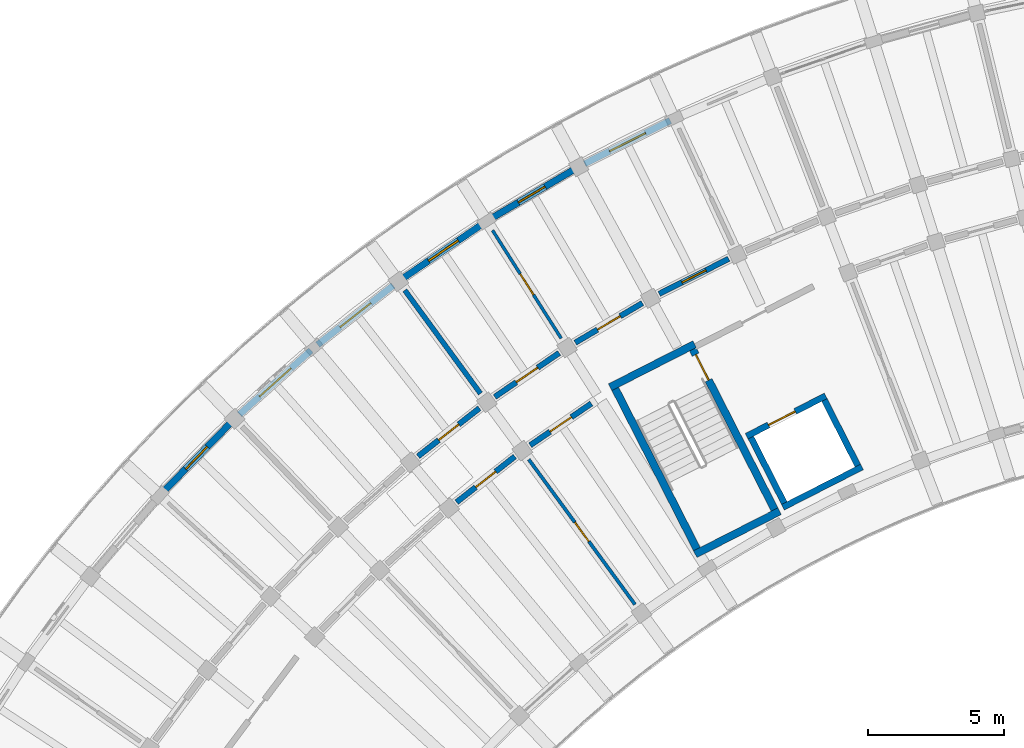
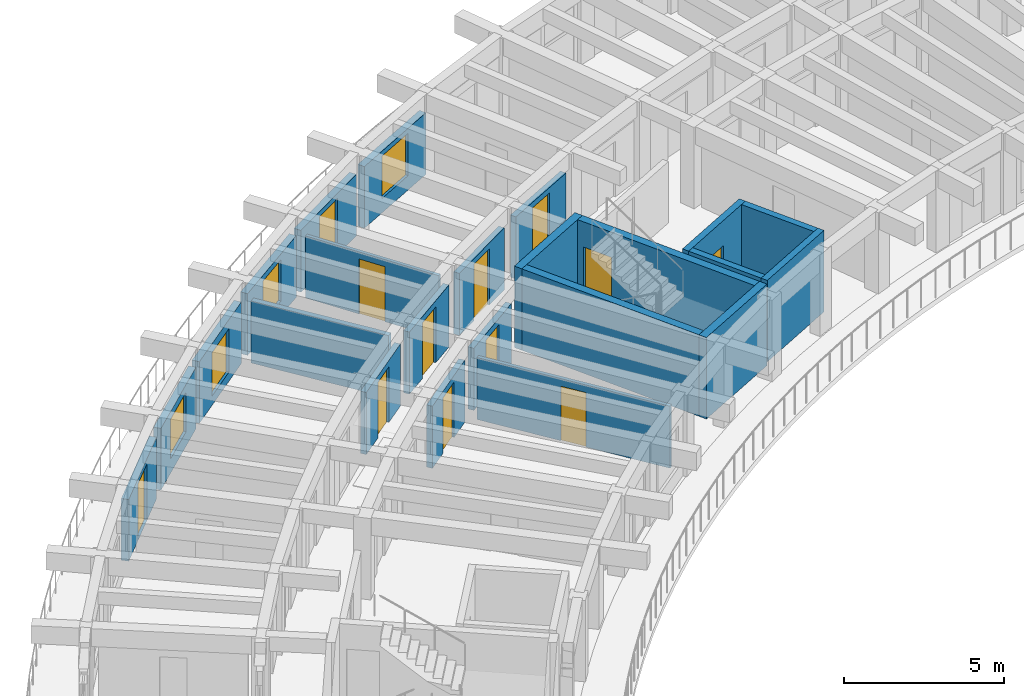
# One storey, part 62 of 96: 23 walls, 12 doors, 4 windows, 16 openings.
"""IFC4 building model written with IfcOpenShell, lengths in metres."""

from ifc_helpers import new_model, si_unit, direction, frame, frame_2d, origin, place, context, subcontext, project, spatial, rectangle, extrude, material, layer, layer_set, type_object, element, fill, save


model = new_model("IFC4")

# Units and contexts
model_context = context("Model", 3, precision=1e-05, world=origin(), true_north=direction((0.0, 1.0)))
body_context = subcontext(model_context, "Body", "Model", "MODEL_VIEW")
ifc_project = project(units=[si_unit("LENGTHUNIT", "METRE"), si_unit("AREAUNIT", "SQUARE_METRE"), si_unit("VOLUMEUNIT", "CUBIC_METRE"), si_unit("PLANEANGLEUNIT", "RADIAN"), si_unit("MASSUNIT", "GRAM", prefix="KILO")], contexts=[model_context])

# Site, building, storey
site_placement = place(None, origin())
site = spatial("IfcSite", under=ifc_project, at=site_placement, CompositionType="ELEMENT")
building_placement = place(site_placement, origin())
building = spatial("IfcBuilding", under=site, at=building_placement, Name="Tanwirah Colonnade Gardens", CompositionType="ELEMENT")
storey_placement = place(building_placement, frame((0.0, 0.0, 12.199951171875)))
storey = spatial("IfcBuildingStorey", under=building, at=storey_placement, Name="L03", CompositionType="ELEMENT", Elevation=12.199951171875)

# Wall, opening, window
ifc_material_1 = material(Name="Limestone architectural precast concrete C40/50", Category="masonry")
ifc_layer_1 = layer(ifc_material_1, 0.2451171875)
ifc_layer_set_1 = layer_set([ifc_layer_1], Name="Limestone architectural precast concrete C40/50")
wall_type_1 = type_object("IfcWallType", Name="EW-PC245", PredefinedType="SOLIDWALL", material=ifc_layer_set_1)
wall_1_placement = place(storey_placement, frame((39.794921875, 114.147216796875, 0.0), z_axis=(0.0, 0.0, 1.0), x_axis=(-0.892756700232, -0.450539092855, 0.0)))
wall_1 = element("IfcWall", 1, at=wall_1_placement, inside=storey, type_object=wall_type_1, Name="Block A L03 OUT Precast Facade Wall 5", PredefinedType="SOLIDWALL", context=body_context, shape_type="SweptSolid", body=[
    extrude(rectangle(XDim=3.520751953125, YDim=0.2451171875, at=frame_2d((1.76025390625, 0.0))), origin(), (0.0, 0.0, 1.0), 2.35498046875),
])
opening_1_placement = place(wall_1_placement, frame((1.020263671875, 0.0, 0.550048828125)))
opening_1 = element("IfcOpeningElement", 2, at=opening_1_placement, cuts=wall_1, Name="Opening WIN-T19", PredefinedType="OPENING", context=body_context, shape_type="SweptSolid", body=[
    extrude(rectangle(XDim=1.47998046875, YDim=1.6201171875, at=frame_2d((0.739990234375, 0.81005859375))), frame((0.0, 0.132568359375, 0.0), z_axis=(0.0, -1.0, 0.0), x_axis=(1.0, 0.0, 0.0)), (0.0, 0.0, 1.0), 0.26513671875),
])
ifc_material_2 = material(Name="Thermally broken bronze aluminium and solar low-E double glazing", Category="aluminium")
window_type_1 = type_object("IfcWindowType", Name="WIN-T19", PartitioningType="DOUBLE_PANEL_VERTICAL", PredefinedType="WINDOW", material=ifc_material_2)
window_1_placement = place(opening_1_placement, origin())
window_1 = element("IfcWindow", 3, at=window_1_placement, inside=storey, type_object=window_type_1, Name="Facade window A-L03-OUT-05", OverallHeight=1.6201171875, OverallWidth=1.47998046875, PartitioningType="SINGLE_PANEL", PredefinedType="WINDOW", context=body_context, shape_type="SweptSolid", body=[
    extrude(rectangle(XDim=1.47998046875, YDim=1.6201171875, at=frame_2d((0.739990234375, 0.81005859375))), frame((0.0, 0.030029296875, 0.0), z_axis=(0.0, -1.0, 0.0), x_axis=(1.0, 0.0, 0.0)), (0.0, 0.0, 1.0), 0.06005859375),
])
fill(opening_1, window_1)

# Wall, opening, door
wall_2_placement = place(storey_placement, frame((36.22216796875, 112.326171875, 0.0), z_axis=(0.0, 0.0, 1.0), x_axis=(-0.861154218161, -0.50834379365, 0.0)))
wall_2 = element("IfcWall", 4, at=wall_2_placement, inside=storey, type_object=wall_type_1, Name="Block A L03 OUT Precast Facade Wall 6", PredefinedType="SOLIDWALL", context=body_context, shape_type="SweptSolid", body=[
    extrude(rectangle(XDim=3.520751953125, YDim=0.2451171875, at=frame_2d((1.76025390625, 0.0))), origin(), (0.0, 0.0, 1.0), 2.35498046875),
])
opening_2_placement = place(wall_2_placement, frame((1.190185546875, 0.0, 0.0)))
opening_2 = element("IfcOpeningElement", 5, at=opening_2_placement, cuts=wall_2, Name="Opening L03-ED015", PredefinedType="OPENING", context=body_context, shape_type="SweptSolid", body=[
    extrude(rectangle(XDim=1.139892578125, YDim=2.159912109375, at=frame_2d((0.56982421875, 1.080078125))), frame((0.0, 0.132568359375, 0.0), z_axis=(0.0, -1.0, 0.0), x_axis=(1.0, 0.0, 0.0)), (0.0, 0.0, 1.0), 0.26513671875),
])
ifc_material_3 = material(Name="Bronze aluminium glazed balcony door", Category="aluminium")
door_type_1 = type_object("IfcDoorType", Name="ED-BAL114", OperationType="NOTDEFINED", PredefinedType="DOOR", material=ifc_material_3)
door_1_placement = place(opening_2_placement, origin())
door_1 = element("IfcDoor", 6, at=door_1_placement, inside=storey, type_object=door_type_1, Name="Balcony glazed door L03-ED015", OperationType="SINGLE_SWING_RIGHT", OverallHeight=2.159912109375, OverallWidth=1.139892578125, PredefinedType="DOOR", context=body_context, shape_type="SweptSolid", body=[
    extrude(rectangle(XDim=1.139892578125, YDim=2.159912109375, at=frame_2d((0.56982421875, 1.080078125))), frame((0.0, 0.02490234375, 0.0), z_axis=(0.0, -1.0, 0.0), x_axis=(1.0, 0.0, 0.0)), (0.0, 0.0, 1.0), 0.050048828125),
])
fill(opening_2, door_1)

# Wall, opening, window
wall_3_placement = place(storey_placement, frame((32.92041015625, 110.36474609375, 0.0), z_axis=(0.0, 0.0, 1.0), x_axis=(-0.825745840472, -0.56404238045, 0.0)))
wall_3 = element("IfcWall", 7, at=wall_3_placement, inside=storey, type_object=wall_type_1, Name="Block A L03 OUT Precast Facade Wall 7", PredefinedType="SOLIDWALL", context=body_context, shape_type="SweptSolid", body=[
    extrude(rectangle(XDim=3.520751953125, YDim=0.2451171875, at=frame_2d((1.76025390625, 0.0))), origin(), (0.0, 0.0, 1.0), 2.35498046875),
])
opening_3_placement = place(wall_3_placement, frame((1.100341796875, 0.0, 0.550048828125)))
opening_3 = element("IfcOpeningElement", 8, at=opening_3_placement, cuts=wall_3, Name="Opening WIN-U05", PredefinedType="OPENING", context=body_context, shape_type="SweptSolid", body=[
    extrude(rectangle(XDim=1.320068359375, YDim=1.5849609375, at=frame_2d((0.66015625, 0.79248046875))), frame((0.0, 0.132568359375, 0.0), z_axis=(0.0, -1.0, 0.0), x_axis=(1.0, 0.0, 0.0)), (0.0, 0.0, 1.0), 0.26513671875),
])
window_type_2 = type_object("IfcWindowType", Name="WIN-U05", PartitioningType="DOUBLE_PANEL_VERTICAL", PredefinedType="WINDOW", material=ifc_material_2)
window_2_placement = place(opening_3_placement, origin())
window_2 = element("IfcWindow", 9, at=window_2_placement, inside=storey, type_object=window_type_2, Name="Facade window A-L03-OUT-07", OverallHeight=1.5849609375, OverallWidth=1.320068359375, PartitioningType="SINGLE_PANEL", PredefinedType="WINDOW", context=body_context, shape_type="SweptSolid", body=[
    extrude(rectangle(XDim=1.320068359375, YDim=1.5849609375, at=frame_2d((0.66015625, 0.79248046875))), frame((0.0, 0.030029296875, 0.0), z_axis=(0.0, -1.0, 0.0), x_axis=(1.0, 0.0, 0.0)), (0.0, 0.0, 1.0), 0.06005859375),
])
fill(opening_3, window_2)

wall_4_placement = place(storey_placement, frame((29.617919921875, 108.089599609375, 0.0), z_axis=(0.0, 0.0, 1.0), x_axis=(-0.786813798172, -0.617190446301, 0.0)))
wall_4 = element("IfcWall", 10, at=wall_4_placement, inside=storey, type_object=wall_type_1, Name="Block A L03 OUT Precast Facade Wall 8", PredefinedType="SOLIDWALL", context=body_context, shape_type="SweptSolid", body=[
    extrude(rectangle(XDim=3.5205078125, YDim=0.2451171875, at=frame_2d((1.76025390625, 0.0))), origin(), (0.0, 0.0, 1.0), 2.35498046875),
])
opening_4_placement = place(wall_4_placement, frame((1.040283203125, 0.0, 0.35009765625)))
opening_4 = element("IfcOpeningElement", 11, at=opening_4_placement, cuts=wall_4, Name="Opening WIN-U08", PredefinedType="OPENING", context=body_context, shape_type="SweptSolid", body=[
    extrude(rectangle(XDim=1.43994140625, YDim=1.659912109375, at=frame_2d((0.719970703125, 0.830078125))), frame((0.0, 0.132568359375, 0.0), z_axis=(0.0, -1.0, 0.0), x_axis=(1.0, 0.0, 0.0)), (0.0, 0.0, 1.0), 0.26513671875),
])
window_type_3 = type_object("IfcWindowType", Name="WIN-U08", PartitioningType="DOUBLE_PANEL_VERTICAL", PredefinedType="WINDOW", material=ifc_material_2)
window_3_placement = place(opening_4_placement, origin())
window_3 = element("IfcWindow", 12, at=window_3_placement, inside=storey, type_object=window_type_3, Name="Facade window A-L03-OUT-08", OverallHeight=1.659912109375, OverallWidth=1.43994140625, PartitioningType="SINGLE_PANEL", PredefinedType="WINDOW", context=body_context, shape_type="SweptSolid", body=[
    extrude(rectangle(XDim=1.43994140625, YDim=1.659912109375, at=frame_2d((0.719970703125, 0.830078125))), frame((0.0, 0.030029296875, 0.0), z_axis=(0.0, -1.0, 0.0), x_axis=(1.0, 0.0, 0.0)), (0.0, 0.0, 1.0), 0.06005859375),
])
fill(opening_4, window_3)

wall_5_placement = place(storey_placement, frame((26.602783203125, 105.711181640625, 0.0), z_axis=(0.0, 0.0, 1.0), x_axis=(-0.744413726571, -0.667718656092, 0.0)))
wall_5 = element("IfcWall", 13, at=wall_5_placement, inside=storey, type_object=wall_type_1, Name="Block A L03 OUT Precast Facade Wall 9", PredefinedType="SOLIDWALL", context=body_context, shape_type="SweptSolid", body=[
    extrude(rectangle(XDim=3.520751953125, YDim=0.2451171875, at=frame_2d((1.76025390625, 0.0))), origin(), (0.0, 0.0, 1.0), 2.35498046875),
])
opening_5_placement = place(wall_5_placement, frame((0.980224609375, 0.0, 0.550048828125)))
opening_5 = element("IfcOpeningElement", 14, at=opening_5_placement, cuts=wall_5, Name="Opening WIN-U11", PredefinedType="OPENING", context=body_context, shape_type="SweptSolid", body=[
    extrude(rectangle(XDim=1.56005859375, YDim=1.510009765625, at=frame_2d((0.780029296875, 0.7548828125))), frame((0.0, 0.132568359375, 0.0), z_axis=(0.0, -1.0, 0.0), x_axis=(1.0, 0.0, 0.0)), (0.0, 0.0, 1.0), 0.26513671875),
])
window_type_4 = type_object("IfcWindowType", Name="WIN-U11", PartitioningType="DOUBLE_PANEL_VERTICAL", PredefinedType="WINDOW", material=ifc_material_2)
window_4_placement = place(opening_5_placement, origin())
window_4 = element("IfcWindow", 15, at=window_4_placement, inside=storey, type_object=window_type_4, Name="Facade window A-L03-OUT-09", OverallHeight=1.510009765625, OverallWidth=1.56005859375, PartitioningType="SINGLE_PANEL", PredefinedType="WINDOW", context=body_context, shape_type="SweptSolid", body=[
    extrude(rectangle(XDim=1.56005859375, YDim=1.510009765625, at=frame_2d((0.780029296875, 0.7548828125))), frame((0.0, 0.030029296875, 0.0), z_axis=(0.0, -1.0, 0.0), x_axis=(1.0, 0.0, 0.0)), (0.0, 0.0, 1.0), 0.06005859375),
])
fill(opening_5, window_4)

# Wall, opening, door
wall_6_placement = place(storey_placement, frame((23.62841796875, 103.021484375, 0.0), z_axis=(0.0, 0.0, 1.0), x_axis=(-0.698841852324, -0.715276216186, 0.0)))
wall_6 = element("IfcWall", 16, at=wall_6_placement, inside=storey, type_object=wall_type_1, Name="Block A L03 OUT Precast Facade Wall 10", PredefinedType="SOLIDWALL", context=body_context, shape_type="SweptSolid", body=[
    extrude(rectangle(XDim=3.520751953125, YDim=0.2451171875, at=frame_2d((1.76025390625, 0.0))), origin(), (0.0, 0.0, 1.0), 2.35498046875),
])
opening_6_placement = place(wall_6_placement, frame((1.190185546875, 0.0, 0.0)))
opening_6 = element("IfcOpeningElement", 17, at=opening_6_placement, cuts=wall_6, Name="Opening L03-ED016", PredefinedType="OPENING", context=body_context, shape_type="SweptSolid", body=[
    extrude(rectangle(XDim=1.139892578125, YDim=2.159912109375, at=frame_2d((0.56982421875, 1.080078125))), frame((0.0, 0.132568359375, 0.0), z_axis=(0.0, -1.0, 0.0), x_axis=(1.0, 0.0, 0.0)), (0.0, 0.0, 1.0), 0.26513671875),
])
door_2_placement = place(opening_6_placement, origin())
door_2 = element("IfcDoor", 18, at=door_2_placement, inside=storey, type_object=door_type_1, Name="Balcony glazed door L03-ED016", OperationType="SINGLE_SWING_RIGHT", OverallHeight=2.159912109375, OverallWidth=1.139892578125, PredefinedType="DOOR", context=body_context, shape_type="SweptSolid", body=[
    extrude(rectangle(XDim=1.139892578125, YDim=2.159912109375, at=frame_2d((0.56982421875, 1.080078125))), frame((0.0, 0.02490234375, 0.0), z_axis=(0.0, -1.0, 0.0), x_axis=(1.0, 0.0, 0.0)), (0.0, 0.0, 1.0), 0.050048828125),
])
fill(opening_6, door_2)

ifc_material_4 = material(Name="Precast concrete C40/50", Category="concrete")
ifc_layer_2 = layer(ifc_material_4, 0.205078125)
ifc_layer_set_2 = layer_set([ifc_layer_2], Name="Precast concrete C40/50")
wall_type_2 = type_object("IfcWallType", Name="IW-CORR205", PredefinedType="PARTITIONING", material=ifc_layer_set_2)
wall_7_placement = place(storey_placement, frame((41.93994140625, 109.072509765625, 0.0), z_axis=(0.0, 0.0, 1.0), x_axis=(-0.89273239336, -0.450587254419, 0.0)))
wall_7 = element("IfcWall", 19, at=wall_7_placement, inside=storey, type_object=wall_type_2, Name="Block A L03 OUT Corridor Wall 5", PredefinedType="PARTITIONING", context=body_context, shape_type="SweptSolid", body=[
    extrude(rectangle(XDim=2.863037109375, YDim=0.205078125, at=frame_2d((1.431640625, 0.0))), origin(), (0.0, 0.0, 1.0), 2.3701171875),
])
opening_7_placement = place(wall_7_placement, frame((0.9365234375, 0.0, 0.0)))
opening_7 = element("IfcOpeningElement", 20, at=opening_7_placement, cuts=wall_7, Name="Opening L03-AD359", PredefinedType="OPENING", context=body_context, shape_type="SweptSolid", body=[
    extrude(rectangle(XDim=0.989990234375, YDim=2.159912109375, at=frame_2d((0.4951171875, 1.080078125))), frame((0.0, 0.112548828125, 0.0), z_axis=(0.0, -1.0, 0.0), x_axis=(1.0, 0.0, 0.0)), (0.0, 0.0, 1.0), 0.22509765625),
])
ifc_material_5 = material(Name="Solid oak fire-resisting apartment entrance door")
door_type_2 = type_object("IfcDoorType", Name="ID-FLT099", OperationType="NOTDEFINED", PredefinedType="DOOR", material=ifc_material_5)
door_3_placement = place(opening_7_placement, origin())
door_3 = element("IfcDoor", 21, at=door_3_placement, inside=storey, type_object=door_type_2, Name="Apartment corridor door L03-AD359", OperationType="SINGLE_SWING_LEFT", OverallHeight=2.159912109375, OverallWidth=0.989990234375, PredefinedType="DOOR", context=body_context, shape_type="SweptSolid", body=[
    extrude(rectangle(XDim=0.989990234375, YDim=2.159912109375, at=frame_2d((0.4951171875, 1.080078125))), frame((0.0, 0.02490234375, 0.0), z_axis=(0.0, -1.0, 0.0), x_axis=(1.0, 0.0, 0.0)), (0.0, 0.0, 1.0), 0.050048828125),
])
fill(opening_7, door_3)

wall_8_placement = place(storey_placement, frame((38.77001953125, 107.447021484375, 0.0), z_axis=(0.0, 0.0, 1.0), x_axis=(-0.861113214678, -0.508413248753, 0.0)))
wall_8 = element("IfcWall", 22, at=wall_8_placement, inside=storey, type_object=wall_type_2, Name="Block A L03 OUT Corridor Wall 6", PredefinedType="PARTITIONING", context=body_context, shape_type="SweptSolid", body=[
    extrude(rectangle(XDim=2.863037109375, YDim=0.205078125, at=frame_2d((1.431640625, 0.0))), origin(), (0.0, 0.0, 1.0), 2.3701171875),
])
opening_8_placement = place(wall_8_placement, frame((0.946533203125, 0.0, 0.0)))
opening_8 = element("IfcOpeningElement", 23, at=opening_8_placement, cuts=wall_8, Name="Opening L03-AD360", PredefinedType="OPENING", context=body_context, shape_type="SweptSolid", body=[
    extrude(rectangle(XDim=0.969970703125, YDim=2.14990234375, at=frame_2d((0.48486328125, 1.074951171875))), frame((0.0, 0.112548828125, 0.0), z_axis=(0.0, -1.0, 0.0), x_axis=(1.0, 0.0, 0.0)), (0.0, 0.0, 1.0), 0.22509765625),
])
door_type_3 = type_object("IfcDoorType", Name="ID-FLT097", OperationType="NOTDEFINED", PredefinedType="DOOR", material=ifc_material_5)
door_4_placement = place(opening_8_placement, origin())
door_4 = element("IfcDoor", 24, at=door_4_placement, inside=storey, type_object=door_type_3, Name="Apartment corridor door L03-AD360", OperationType="SINGLE_SWING_RIGHT", OverallHeight=2.14990234375, OverallWidth=0.969970703125, PredefinedType="DOOR", context=body_context, shape_type="SweptSolid", body=[
    extrude(rectangle(XDim=0.969970703125, YDim=2.14990234375, at=frame_2d((0.48486328125, 1.074951171875))), frame((0.0, 0.02490234375, 0.0), z_axis=(0.0, -1.0, 0.0), x_axis=(1.0, 0.0, 0.0)), (0.0, 0.0, 1.0), 0.050048828125),
])
fill(opening_8, door_4)

wall_9_placement = place(storey_placement, frame((35.714111328125, 105.615966796875, 0.0), z_axis=(0.0, 0.0, 1.0), x_axis=(-0.825779671787, -0.563992848947, 0.0)))
wall_9 = element("IfcWall", 25, at=wall_9_placement, inside=storey, type_object=wall_type_2, Name="Block A L03 OUT Corridor Wall 7", PredefinedType="PARTITIONING", context=body_context, shape_type="SweptSolid", body=[
    extrude(rectangle(XDim=2.863037109375, YDim=0.205078125, at=frame_2d((1.431640625, 0.0))), origin(), (0.0, 0.0, 1.0), 2.3701171875),
])
opening_9_placement = place(wall_9_placement, frame((0.95654296875, 0.0, 0.0)))
opening_9 = element("IfcOpeningElement", 26, at=opening_9_placement, cuts=wall_9, Name="Opening L03-AD362", PredefinedType="OPENING", context=body_context, shape_type="SweptSolid", body=[
    extrude(rectangle(XDim=0.949951171875, YDim=2.1298828125, at=frame_2d((0.47509765625, 1.06494140625))), frame((0.0, 0.112548828125, 0.0), z_axis=(0.0, -1.0, 0.0), x_axis=(1.0, 0.0, 0.0)), (0.0, 0.0, 1.0), 0.22509765625),
])
door_type_4 = type_object("IfcDoorType", Name="ID-FLT095", OperationType="NOTDEFINED", PredefinedType="DOOR", material=ifc_material_5)
door_5_placement = place(opening_9_placement, origin())
door_5 = element("IfcDoor", 27, at=door_5_placement, inside=storey, type_object=door_type_4, Name="Apartment corridor door L03-AD362", OperationType="SINGLE_SWING_LEFT", OverallHeight=2.1298828125, OverallWidth=0.949951171875, PredefinedType="DOOR", context=body_context, shape_type="SweptSolid", body=[
    extrude(rectangle(XDim=0.949951171875, YDim=2.1298828125, at=frame_2d((0.47509765625, 1.06494140625))), frame((0.0, 0.02490234375, 0.0), z_axis=(0.0, -1.0, 0.0), x_axis=(1.0, 0.0, 0.0)), (0.0, 0.0, 1.0), 0.050048828125),
])
fill(opening_9, door_5)

wall_10_placement = place(storey_placement, frame((36.89453125, 103.759521484375, 0.0), z_axis=(0.0, 0.0, 1.0), x_axis=(-0.825752009056, -0.56403334967, 0.0)))
wall_10 = element("IfcWall", 28, at=wall_10_placement, inside=storey, type_object=wall_type_2, Name="Block A L03 IN Corridor Wall 7", PredefinedType="PARTITIONING", context=body_context, shape_type="SweptSolid", body=[
    extrude(rectangle(XDim=2.71826171875, YDim=0.205078125, at=frame_2d((1.359130859375, 0.0))), origin(), (0.0, 0.0, 1.0), 2.3701171875),
])
opening_10_placement = place(wall_10_placement, frame((0.884033203125, 0.0, 0.0)))
opening_10 = element("IfcOpeningElement", 29, at=opening_10_placement, cuts=wall_10, Name="Opening L03-AD363", PredefinedType="OPENING", context=body_context, shape_type="SweptSolid", body=[
    extrude(rectangle(XDim=0.949951171875, YDim=2.1298828125, at=frame_2d((0.47509765625, 1.06494140625))), frame((0.0, 0.112548828125, 0.0), z_axis=(0.0, -1.0, 0.0), x_axis=(1.0, 0.0, 0.0)), (0.0, 0.0, 1.0), 0.22509765625),
])
door_6_placement = place(opening_10_placement, origin())
door_6 = element("IfcDoor", 30, at=door_6_placement, inside=storey, type_object=door_type_4, Name="Apartment corridor door L03-AD363", OperationType="SINGLE_SWING_RIGHT", OverallHeight=2.1298828125, OverallWidth=0.949951171875, PredefinedType="DOOR", context=body_context, shape_type="SweptSolid", body=[
    extrude(rectangle(XDim=0.949951171875, YDim=2.1298828125, at=frame_2d((0.47509765625, 1.06494140625))), frame((0.0, 0.02490234375, 0.0), z_axis=(0.0, -1.0, 0.0), x_axis=(1.0, 0.0, 0.0)), (0.0, 0.0, 1.0), 0.050048828125),
])
fill(opening_10, door_6)

wall_11_placement = place(storey_placement, frame((32.785400390625, 103.587890625, 0.0), z_axis=(0.0, 0.0, 1.0), x_axis=(-0.786806323554, -0.617199975061, 0.0)))
wall_11 = element("IfcWall", 31, at=wall_11_placement, inside=storey, type_object=wall_type_2, Name="Block A L03 OUT Corridor Wall 8", PredefinedType="PARTITIONING", context=body_context, shape_type="SweptSolid", body=[
    extrude(rectangle(XDim=2.863037109375, YDim=0.205078125, at=frame_2d((1.431640625, 0.0))), origin(), (0.0, 0.0, 1.0), 2.3701171875),
])
opening_11_placement = place(wall_11_placement, frame((0.966552734375, 0.0, 0.0)))
opening_11 = element("IfcOpeningElement", 32, at=opening_11_placement, cuts=wall_11, Name="Opening L03-AD365", PredefinedType="OPENING", context=body_context, shape_type="SweptSolid", body=[
    extrude(rectangle(XDim=0.929931640625, YDim=2.1201171875, at=frame_2d((0.46484375, 1.06005859375))), frame((0.0, 0.112548828125, 0.0), z_axis=(0.0, -1.0, 0.0), x_axis=(1.0, 0.0, 0.0)), (0.0, 0.0, 1.0), 0.22509765625),
])
door_type_5 = type_object("IfcDoorType", Name="ID-FLT093", OperationType="NOTDEFINED", PredefinedType="DOOR", material=ifc_material_5)
door_7_placement = place(opening_11_placement, origin())
door_7 = element("IfcDoor", 33, at=door_7_placement, inside=storey, type_object=door_type_5, Name="Apartment corridor door L03-AD365", OperationType="SINGLE_SWING_RIGHT", OverallHeight=2.1201171875, OverallWidth=0.929931640625, PredefinedType="DOOR", context=body_context, shape_type="SweptSolid", body=[
    extrude(rectangle(XDim=0.929931640625, YDim=2.1201171875, at=frame_2d((0.46484375, 1.06005859375))), frame((0.0, 0.02490234375, 0.0), z_axis=(0.0, -1.0, 0.0), x_axis=(1.0, 0.0, 0.0)), (0.0, 0.0, 1.0), 0.050048828125),
])
fill(opening_11, door_7)

wall_12_placement = place(storey_placement, frame((34.08544921875, 101.81298828125, 0.0), z_axis=(0.0, 0.0, 1.0), x_axis=(-0.786835457019, -0.617162833924, 0.0)))
wall_12 = element("IfcWall", 34, at=wall_12_placement, inside=storey, type_object=wall_type_2, Name="Block A L03 IN Corridor Wall 8", PredefinedType="PARTITIONING", context=body_context, shape_type="SweptSolid", body=[
    extrude(rectangle(XDim=2.718017578125, YDim=0.205078125, at=frame_2d((1.35888671875, 0.0))), origin(), (0.0, 0.0, 1.0), 2.3701171875),
])
opening_12_placement = place(wall_12_placement, frame((0.89404296875, 0.0, 0.0)))
opening_12 = element("IfcOpeningElement", 35, at=opening_12_placement, cuts=wall_12, Name="Opening L03-AD366", PredefinedType="OPENING", context=body_context, shape_type="SweptSolid", body=[
    extrude(rectangle(XDim=0.929931640625, YDim=2.1201171875, at=frame_2d((0.46484375, 1.06005859375))), frame((0.0, 0.112548828125, 0.0), z_axis=(0.0, -1.0, 0.0), x_axis=(1.0, 0.0, 0.0)), (0.0, 0.0, 1.0), 0.22509765625),
])
door_8_placement = place(opening_12_placement, origin())
door_8 = element("IfcDoor", 36, at=door_8_placement, inside=storey, type_object=door_type_5, Name="Apartment corridor door L03-AD366", OperationType="SINGLE_SWING_LEFT", OverallHeight=2.1201171875, OverallWidth=0.929931640625, PredefinedType="DOOR", context=body_context, shape_type="SweptSolid", body=[
    extrude(rectangle(XDim=0.929931640625, YDim=2.1201171875, at=frame_2d((0.46484375, 1.06005859375))), frame((0.0, 0.02490234375, 0.0), z_axis=(0.0, -1.0, 0.0), x_axis=(1.0, 0.0, 0.0)), (0.0, 0.0, 1.0), 0.050048828125),
])
fill(opening_12, door_8)

# Wall
ifc_layer_3 = layer(ifc_material_4, 0.18505859375)
ifc_layer_set_3 = layer_set([ifc_layer_3], Name="Precast concrete C40/50")
wall_type_3 = type_object("IfcWallType", Name="IW-DEM185", PredefinedType="PARTITIONING", material=ifc_layer_set_3)
wall_13_placement = place(storey_placement, frame((32.824462890625, 104.12646484375, 0.0), z_axis=(0.0, 0.0, 1.0), x_axis=(-0.590910940129, 0.806736797745, 0.0)))
element("IfcWall", 37, at=wall_13_placement, inside=storey, type_object=wall_type_3, Name="Block A L03 Radial Partition 7", PredefinedType="PARTITIONING", context=body_context, shape_type="SweptSolid", body=[
    extrude(rectangle(XDim=4.7001953125, YDim=0.18505859375, at=frame_2d((2.35009765625, 0.0))), origin(), (0.0, 0.0, 1.0), 2.3701171875),
])

# Wall, opening, door
ifc_material_6 = material(Name="Acoustic gypsum stud partition")
ifc_layer_4 = layer(ifc_material_6, 0.114990234375)
ifc_layer_set_4 = layer_set([ifc_layer_4], Name="Acoustic gypsum stud partition")
wall_type_4 = type_object("IfcWallType", Name="IW-INT115", PredefinedType="PARTITIONING", material=ifc_layer_set_4)
wall_14_placement = place(storey_placement, frame((35.78857421875, 106.151123046875, 0.0), z_axis=(0.0, 0.0, 1.0), x_axis=(-0.536492262982, 0.843905238614, 0.0)))
wall_14 = element("IfcWall", 38, at=wall_14_placement, inside=storey, type_object=wall_type_4, Name="Block A L03 Radial Partition 6", PredefinedType="PARTITIONING", context=body_context, shape_type="SweptSolid", body=[
    extrude(rectangle(XDim=4.699951171875, YDim=0.114990234375, at=frame_2d((2.35009765625, 0.0))), origin(), (0.0, 0.0, 1.0), 2.3701171875),
])
opening_13_placement = place(wall_14_placement, frame((1.89501953125, 0.0, 0.0)))
opening_13 = element("IfcOpeningElement", 39, at=opening_13_placement, cuts=wall_14, Name="Opening L03-RD361", PredefinedType="OPENING", context=body_context, shape_type="SweptSolid", body=[
    extrude(rectangle(XDim=0.909912109375, YDim=2.10009765625, at=frame_2d((0.455078125, 1.050048828125))), frame((0.0, 0.0673828125, 0.0), z_axis=(0.0, -1.0, 0.0), x_axis=(1.0, 0.0, 0.0)), (0.0, 0.0, 1.0), 0.135009765625),
])
ifc_material_7 = material(Name="Painted hardwood internal room door", Category="wood")
door_type_6 = type_object("IfcDoorType", Name="ID-RM091", OperationType="NOTDEFINED", PredefinedType="DOOR", material=ifc_material_7)
door_9_placement = place(opening_13_placement, origin())
door_9 = element("IfcDoor", 40, at=door_9_placement, inside=storey, type_object=door_type_6, Name="Internal apartment door L03-RD361", OperationType="SINGLE_SWING_RIGHT", OverallHeight=2.10009765625, OverallWidth=0.909912109375, PredefinedType="DOOR", context=body_context, shape_type="SweptSolid", body=[
    extrude(rectangle(XDim=0.909912109375, YDim=2.10009765625, at=frame_2d((0.455078125, 1.050048828125))), frame((0.0, 0.02490234375, 0.0), z_axis=(0.0, -1.0, 0.0), x_axis=(1.0, 0.0, 0.0)), (0.0, 0.0, 1.0), 0.050048828125),
])
fill(opening_13, door_9)

ifc_material_8 = material(Name="Moisture-resistant gypsum stud partition")
ifc_layer_5 = layer(ifc_material_8, 0.125)
ifc_layer_set_5 = layer_set([ifc_layer_5], Name="Moisture-resistant gypsum stud partition")
wall_type_5 = type_object("IfcWallType", Name="IW-INT125", PredefinedType="PARTITIONING", material=ifc_layer_set_5)
wall_15_placement = place(storey_placement, frame((38.497314453125, 96.3818359375, 0.0), z_axis=(0.0, 0.0, 1.0), x_axis=(-0.590924179316, 0.806727100263, 0.0)))
wall_15 = element("IfcWall", 41, at=wall_15_placement, inside=storey, type_object=wall_type_5, Name="Block A L03 Inner Radial Partition 7", PredefinedType="PARTITIONING", context=body_context, shape_type="SweptSolid", body=[
    extrude(rectangle(XDim=6.60009765625, YDim=0.125, at=frame_2d((3.300048828125, 0.0))), origin(), (0.0, 0.0, 1.0), 2.3701171875),
])
opening_14_placement = place(wall_15_placement, frame((2.864990234375, 0.0, 0.0)))
opening_14 = element("IfcOpeningElement", 42, at=opening_14_placement, cuts=wall_15, Name="Opening L03-RD364", PredefinedType="OPENING", context=body_context, shape_type="SweptSolid", body=[
    extrude(rectangle(XDim=0.8701171875, YDim=2.080078125, at=frame_2d((0.43505859375, 1.0400390625))), frame((0.0, 0.072509765625, 0.0), z_axis=(0.0, -1.0, 0.0), x_axis=(1.0, 0.0, 0.0)), (0.0, 0.0, 1.0), 0.14501953125),
])
ifc_material_9 = material(Name="Painted hardwood study door", Category="wood")
door_type_7 = type_object("IfcDoorType", Name="ID-RM087", OperationType="NOTDEFINED", PredefinedType="DOOR", material=ifc_material_9)
door_10_placement = place(opening_14_placement, origin())
door_10 = element("IfcDoor", 43, at=door_10_placement, inside=storey, type_object=door_type_7, Name="Internal apartment door L03-RD364", OperationType="SINGLE_SWING_RIGHT", OverallHeight=2.080078125, OverallWidth=0.8701171875, PredefinedType="DOOR", context=body_context, shape_type="SweptSolid", body=[
    extrude(rectangle(XDim=0.8701171875, YDim=2.080078125, at=frame_2d((0.43505859375, 1.0400390625))), frame((0.0, 0.02490234375, 0.0), z_axis=(0.0, -1.0, 0.0), x_axis=(1.0, 0.0, 0.0)), (0.0, 0.0, 1.0), 0.050048828125),
])
fill(opening_14, door_10)

# Walls
ifc_material_10 = material(Name="Concrete C45/55", Category="concrete")
ifc_layer_6 = layer(ifc_material_10, 0.280029296875)
ifc_layer_set_6 = layer_set([ifc_layer_6], Name="Concrete C45/55")
wall_type_6 = type_object("IfcWallType", Name="SW-CORE280", PredefinedType="SHEAR", material=ifc_layer_set_6)
wall_16_placement = place(storey_placement, frame((37.7734375, 104.295654296875, 0.0), z_axis=(0.0, 0.0, 1.0), x_axis=(0.453992276384, -0.891005618941, 0.0)))
element("IfcWall", 44, at=wall_16_placement, inside=storey, type_object=wall_type_6, Name="CORE-A1 L03 Stair Shaft Shear Wall LEFT", PredefinedType="SHEAR", context=body_context, shape_type="SweptSolid", body=[
    extrude(rectangle(XDim=6.599853515625, YDim=0.280029296875, at=frame_2d((3.2998046875, 0.0))), origin(), (0.0, 0.0, 1.0), 3.110107421875),
])
for number, where, z_axis, x_axis, name in (
    (45, (40.708740234375, 98.2265625, 0.0), (0.0, 0.0, 1.0), (0.891005763861, 0.453991991964, 0.0), "CORE-A1 L03 Stair Shaft Shear Wall FAR"),
    (46, (37.585205078125, 104.356689453125, 0.0), (0.0, 0.0, 1.0), (0.891020222667, 0.453963613958, 0.0), "CORE-A1 L03 Stair Shaft Shear Wall NEAR"),
):
    element("IfcWall", number, at=place(storey_placement, frame(where, z_axis=z_axis, x_axis=x_axis)), inside=storey, type_object=wall_type_6, Name=name, PredefinedType="SHEAR", context=body_context, shape_type="SweptSolid", body=[
        extrude(rectangle(XDim=3.47998046875, YDim=0.280029296875, at=frame_2d((1.739990234375, 0.0))), origin(), (0.0, 0.0, 1.0), 3.110107421875),
    ])

# Wall, opening, door
wall_17_placement = place(storey_placement, frame((40.624755859375, 105.748291015625, 0.0), z_axis=(0.0, 0.0, 1.0), x_axis=(0.453992276384, -0.891005618941, 0.0)))
wall_17 = element("IfcWall", 47, at=wall_17_placement, inside=storey, type_object=wall_type_6, Name="CORE-A1 L03 Stair Shaft Shear Wall RIGHT", PredefinedType="SHEAR", context=body_context, shape_type="SweptSolid", body=[
    extrude(rectangle(XDim=6.599853515625, YDim=0.280029296875, at=frame_2d((3.2998046875, 0.0))), origin(), (0.0, 0.0, 1.0), 3.110107421875),
])
opening_15_placement = place(wall_17_placement, frame((0.219970703125, 0.0, 0.0)))
opening_15 = element("IfcOpeningElement", 48, at=opening_15_placement, cuts=wall_17, Name="Opening L03-SD005", PredefinedType="OPENING", context=body_context, shape_type="SweptSolid", body=[
    extrude(rectangle(XDim=1.050048828125, YDim=2.14990234375, at=frame_2d((0.52490234375, 1.074951171875))), frame((0.0, 0.14990234375, 0.0), z_axis=(0.0, -1.0, 0.0), x_axis=(1.0, 0.0, 0.0)), (0.0, 0.0, 1.0), 0.300048828125),
])
ifc_material_11 = material(Name="Steel fire-resisting stair enclosure door", Category="steel")
door_type_8 = type_object("IfcDoorType", Name="ID-ST105", OperationType="NOTDEFINED", PredefinedType="DOOR", material=ifc_material_11)
door_11_placement = place(opening_15_placement, origin())
door_11 = element("IfcDoor", 49, at=door_11_placement, inside=storey, type_object=door_type_8, Name="CORE-A1 L03 Stair Fire Door L03-SD005", OperationType="SINGLE_SWING_RIGHT", OverallHeight=2.14990234375, OverallWidth=1.050048828125, PredefinedType="DOOR", context=body_context, shape_type="SweptSolid", body=[
    extrude(rectangle(XDim=1.050048828125, YDim=2.14990234375, at=frame_2d((0.52490234375, 1.074951171875))), frame((0.0, 0.02490234375, 0.0), z_axis=(0.0, -1.0, 0.0), x_axis=(1.0, 0.0, 0.0)), (0.0, 0.0, 1.0), 0.050048828125),
])
fill(opening_15, door_11)

ifc_layer_7 = layer(ifc_material_10, 0.22998046875)
ifc_layer_set_7 = layer_set([ifc_layer_7], Name="Concrete C45/55")
wall_type_7 = type_object("IfcWallType", Name="SW-LIFT230", PredefinedType="SHEAR", material=ifc_layer_set_7)
wall_18_placement = place(storey_placement, frame((42.5966796875, 102.561279296875, 0.0), z_axis=(0.0, 0.0, 1.0), x_axis=(0.891001200497, 0.454000947921, 0.0)))
wall_18 = element("IfcWall", 50, at=wall_18_placement, inside=storey, type_object=wall_type_7, Name="CORE-A1 L03 Lift Shaft Wall FRONT", PredefinedType="SHEAR", context=body_context, shape_type="SweptSolid", body=[
    extrude(rectangle(XDim=3.259765625, YDim=0.22998046875, at=frame_2d((1.6298828125, 0.0))), origin(), (0.0, 0.0, 1.0), 3.110107421875),
])
opening_16_placement = place(wall_18_placement, frame((0.89990234375, 0.0, 0.0)))
opening_16 = element("IfcOpeningElement", 51, at=opening_16_placement, cuts=wall_18, Name="Opening L03-LD-FL-A1", PredefinedType="OPENING", context=body_context, shape_type="SweptSolid", body=[
    extrude(rectangle(XDim=1.10009765625, YDim=2.14990234375, at=frame_2d((0.550048828125, 1.074951171875))), frame((0.0, 0.125, 0.0), z_axis=(0.0, -1.0, 0.0), x_axis=(1.0, 0.0, 0.0)), (0.0, 0.0, 1.0), 0.25),
])
ifc_material_12 = material(Name="Stainless steel sliding fire lift landing door", Category="steel")
door_type_9 = type_object("IfcDoorType", Name="LD-FF11", OperationType="DOUBLE_DOOR_SLIDING", PredefinedType="DOOR", material=ifc_material_12)
door_12_placement = place(opening_16_placement, origin())
door_12 = element("IfcDoor", 52, at=door_12_placement, inside=storey, type_object=door_type_9, Name="Lift FL-A1 L03 Sliding Landing Door", OperationType="DOUBLE_DOOR_SLIDING", OverallHeight=2.14990234375, OverallWidth=1.10009765625, PredefinedType="DOOR", context=body_context, shape_type="SweptSolid", body=[
    extrude(rectangle(XDim=1.10009765625, YDim=2.14990234375, at=frame_2d((0.550048828125, 1.074951171875))), frame((0.0, 0.02490234375, 0.0), z_axis=(0.0, -1.0, 0.0), x_axis=(1.0, 0.0, 0.0)), (0.0, 0.0, 1.0), 0.050048828125),
])
fill(opening_16, door_12)

# Walls
wall_19_placement = place(storey_placement, frame((43.9267578125, 99.950439453125, 0.0), z_axis=(0.0, 0.0, 1.0), x_axis=(0.891016635648, 0.453970654337, 0.0)))
element("IfcWall", 53, at=wall_19_placement, inside=storey, type_object=wall_type_7, Name="CORE-A1 L03 Lift Shaft Wall BACK", PredefinedType="SHEAR", context=body_context, shape_type="SweptSolid", body=[
    extrude(rectangle(XDim=3.260009765625, YDim=0.22998046875, at=frame_2d((1.6298828125, 0.0))), origin(), (0.0, 0.0, 1.0), 3.110107421875),
])
for number, where, z_axis, x_axis, name in (
    (54, (42.751220703125, 102.510986328125, 0.0), (0.0, 0.0, 1.0), (0.454000278178, -0.891001541758, 0.0), "CORE-A1 L03 Lift Shaft Wall SIDEA"),
    (55, (45.450927734375, 103.886474609375, 0.0), (0.0, 0.0, 1.0), (0.454000278178, -0.891001541758, 0.0), "CORE-A1 L03 Lift Shaft Wall SIDEB"),
):
    element("IfcWall", number, at=place(storey_placement, frame(where, z_axis=z_axis, x_axis=x_axis)), inside=storey, type_object=wall_type_7, Name=name, PredefinedType="SHEAR", context=body_context, shape_type="SweptSolid", body=[
        extrude(rectangle(XDim=2.699951171875, YDim=0.22998046875, at=frame_2d((1.35009765625, 0.0))), origin(), (0.0, 0.0, 1.0), 3.110107421875),
    ])

save(model, "model.ifc")
